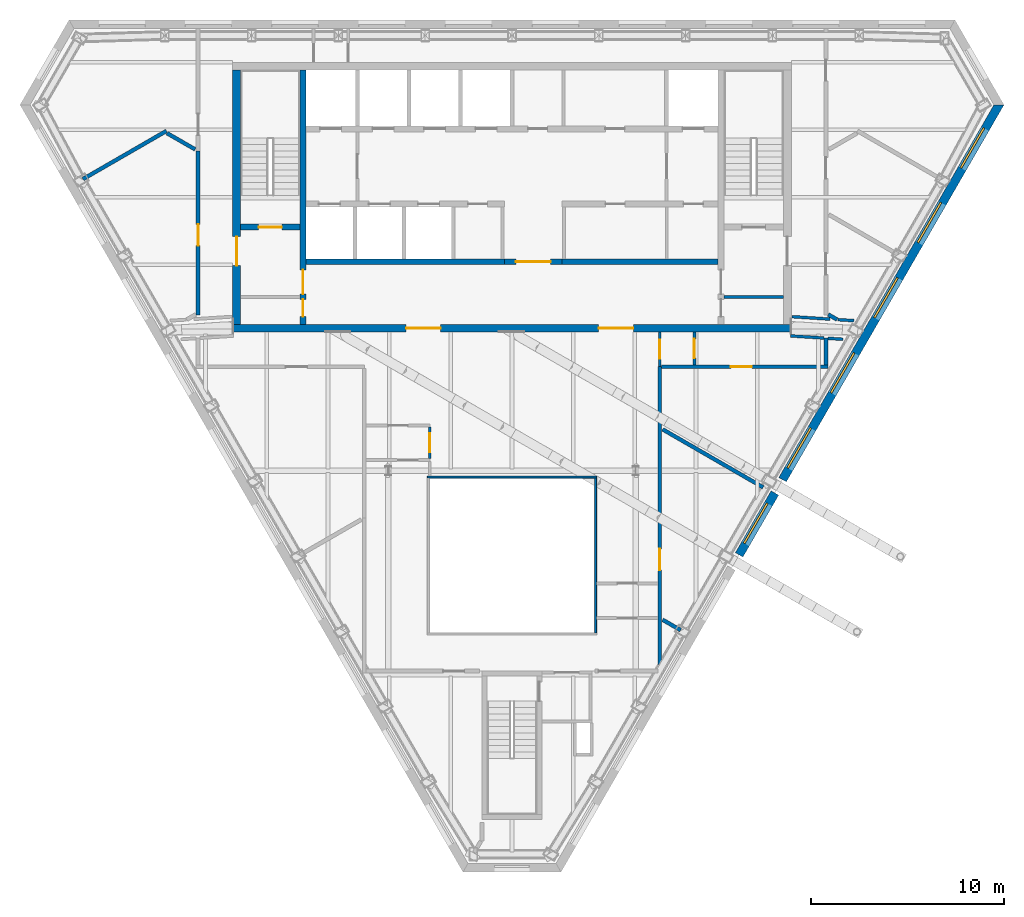
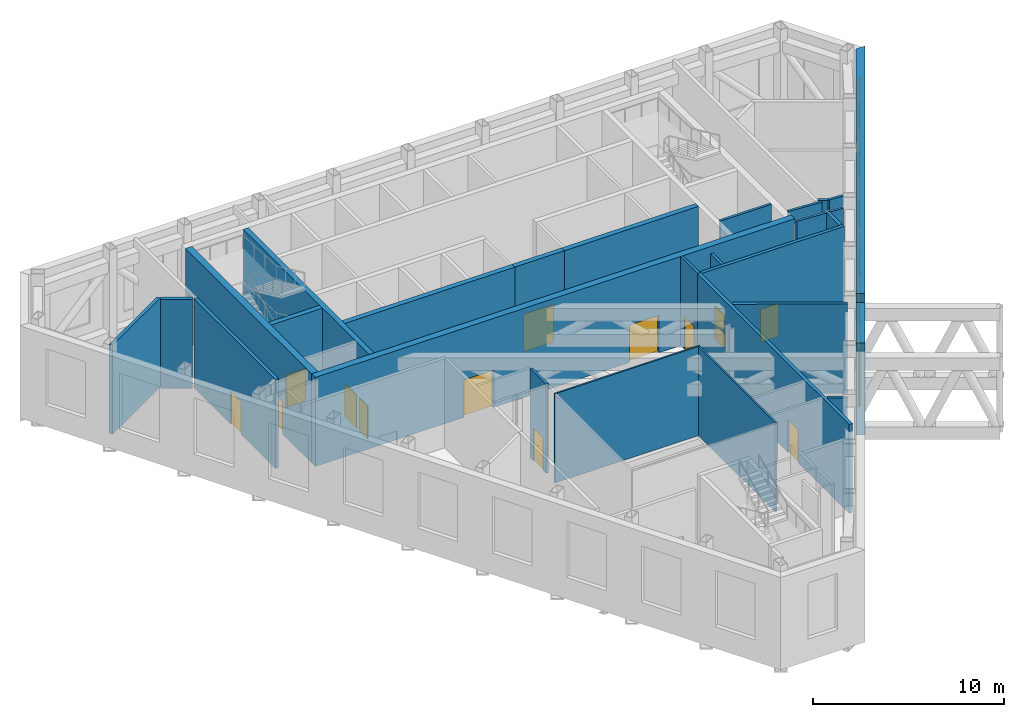
# One storey, part 8 of 14: 28 walls, 13 doors, 6 shading devices, 19 openings.
"""IFC4 building model written with IfcOpenShell, lengths in metres."""

from ifc_helpers import new_model, si_unit, direction, frame, frame_2d, origin, place, context, subcontext, project, spatial, polyline, rectangle, outline, extrude, material, layer, layer_set, type_object, element, fill, save


model = new_model("IFC4")

# Units and contexts
model_context = context("Model", 3, precision=1e-05, world=origin(), true_north=direction((0.0, 1.0)))
body_context = subcontext(model_context, "Body", "Model", "MODEL_VIEW")
ifc_project = project(units=[si_unit("LENGTHUNIT", "METRE"), si_unit("AREAUNIT", "SQUARE_METRE"), si_unit("VOLUMEUNIT", "CUBIC_METRE"), si_unit("PLANEANGLEUNIT", "RADIAN"), si_unit("MASSUNIT", "GRAM", prefix="KILO")], contexts=[model_context])

# Site, building, storey
site_placement = place(None, origin())
site = spatial("IfcSite", under=ifc_project, at=site_placement, CompositionType="ELEMENT")
building_placement = place(site_placement, origin())
building = spatial("IfcBuilding", under=site, at=building_placement, Name="Njiva Tower", CompositionType="ELEMENT")
storey_placement = place(building_placement, frame((0.0, 0.0, 292.2)))
storey = spatial("IfcBuildingStorey", under=building, at=storey_placement, Name="L67", CompositionType="ELEMENT", Elevation=292.2)

# Wall
ifc_material_1 = material(Name="Blockwork", Category="masonry")
ifc_layer_1 = layer(ifc_material_1, 0.15)
ifc_layer_set_1 = layer_set([ifc_layer_1], Name="Blockwork")
wall_type_1 = type_object("IfcWallType", Name="WT1 Compartment partition 150", PredefinedType="PARTITIONING", material=ifc_layer_set_1)
wall_1_placement = place(storey_placement, frame((11.0, 5.825, 0.0), z_axis=(0.0, 0.0, 1.0), x_axis=(1.0, 0.0, 0.0)))
element("IfcWall", 1, at=wall_1_placement, inside=storey, type_object=wall_type_1, Name="Room wall B", PredefinedType="PARTITIONING", context=body_context, shape_type="SweptSolid", body=[
    extrude(rectangle(XDim=3.1, YDim=0.15, at=frame_2d((1.55, 0.0))), origin(), (0.0, 0.0, 1.0), 5.7),
])

# Wall, openings, doors
ifc_material_2 = material(Name="Concrete C40/50", Category="concrete")
ifc_layer_2 = layer(ifc_material_2, 0.3)
ifc_layer_set_2 = layer_set([ifc_layer_2], Name="Concrete C40/50")
wall_type_2 = type_object("IfcWallType", Name="WT10 Stair enclosure wall 300", PredefinedType="SHEAR", material=ifc_layer_set_2)
wall_2_placement = place(storey_placement, frame((-10.85, 4.4, 0.0), z_axis=(0.0, 0.0, 1.0), x_axis=(0.0, 1.0, 0.0)))
wall_2 = element("IfcWall", 2, at=wall_2_placement, inside=storey, type_object=wall_type_2, Name="Stair wall west inner", PredefinedType="SHEAR", context=body_context, shape_type="SweptSolid", body=[
    extrude(rectangle(XDim=13.2, YDim=0.3, at=frame_2d((6.6, 0.0))), origin(), (0.0, 0.0, 1.0), 5.7),
])
opening_1_placement = place(wall_2_placement, frame((1.575, 0.0, 0.0)))
opening_1 = element("IfcOpeningElement", 3, at=opening_1_placement, cuts=wall_2, Name="Opening T5-D916", PredefinedType="OPENING", context=body_context, shape_type="SweptSolid", body=[
    extrude(rectangle(XDim=1.25, YDim=2.1, at=frame_2d((0.625, 1.05))), frame((0.0, 0.16, 0.0), z_axis=(0.0, -1.0, 0.0), x_axis=(1.0, 0.0, 0.0)), (0.0, 0.0, 1.0), 0.32),
])
opening_2_placement = place(wall_2_placement, frame((0.4, 0.0, 0.0)))
opening_2 = element("IfcOpeningElement", 4, at=opening_2_placement, cuts=wall_2, Name="Opening T5-D918", PredefinedType="OPENING", context=body_context, shape_type="SweptSolid", body=[
    extrude(rectangle(XDim=0.9, YDim=2.1, at=frame_2d((0.45, 1.05))), frame((0.0, 0.16, 0.0), z_axis=(0.0, -1.0, 0.0), x_axis=(1.0, 0.0, 0.0)), (0.0, 0.0, 1.0), 0.32),
])
ifc_material_3 = material(Name="Steel door, painted", Category="steel")
door_type_1 = type_object("IfcDoorType", Name="D13 Steel door 900x2100", OperationType="SINGLE_SWING_LEFT", PredefinedType="DOOR", material=ifc_material_3)
door_1_placement = place(opening_2_placement, origin())
door_1 = element("IfcDoor", 5, at=door_1_placement, inside=storey, type_object=door_type_1, Name="Telecoms plant room door", OperationType="SINGLE_SWING_RIGHT", OverallHeight=2.1, OverallWidth=0.9, PredefinedType="DOOR", context=body_context, shape_type="SweptSolid", body=[
    extrude(rectangle(XDim=0.9, YDim=2.1, at=frame_2d((0.45, 1.05))), frame((0.0, 0.025, 0.0), z_axis=(0.0, -1.0, 0.0), x_axis=(1.0, 0.0, 0.0)), (0.0, 0.0, 1.0), 0.05),
])
fill(opening_2, door_1)
ifc_material_4 = material(Name="Glazed steel fire door", Category="steel")
door_type_2 = type_object("IfcDoorType", Name="D8 Vestibule corridor door 1250x2100 glazed", OperationType="SINGLE_SWING_LEFT", PredefinedType="DOOR", material=ifc_material_4)
door_2_placement = place(opening_1_placement, origin())
door_2 = element("IfcDoor", 6, at=door_2_placement, inside=storey, type_object=door_type_2, Name="Stair vestibule corridor door", OperationType="SINGLE_SWING_LEFT", OverallHeight=2.1, OverallWidth=1.25, PredefinedType="DOOR", context=body_context, shape_type="SweptSolid", body=[
    extrude(rectangle(XDim=1.25, YDim=2.1, at=frame_2d((0.625, 1.05))), frame((0.0, 0.025, 0.0), z_axis=(0.0, -1.0, 0.0), x_axis=(1.0, 0.0, 0.0)), (0.0, 0.0, 1.0), 0.05),
])
fill(opening_1, door_2)

# Wall, opening, door
wall_3_placement = place(storey_placement, frame((-14.1, 9.45, 0.0), z_axis=(0.0, 0.0, 1.0), x_axis=(1.0, 0.0, 0.0)))
wall_3 = element("IfcWall", 7, at=wall_3_placement, inside=storey, type_object=wall_type_2, Name="Stair A south wall", PredefinedType="SHEAR", context=body_context, shape_type="SweptSolid", body=[
    extrude(rectangle(XDim=3.1, YDim=0.3, at=frame_2d((1.55, 0.0))), origin(), (0.0, 0.0, 1.0), 5.7),
])
opening_3_placement = place(wall_3_placement, frame((0.95, 0.0, 0.0)))
opening_3 = element("IfcOpeningElement", 8, at=opening_3_placement, cuts=wall_3, Name="Opening T5-D915", PredefinedType="OPENING", context=body_context, shape_type="SweptSolid", body=[
    extrude(rectangle(XDim=1.2, YDim=2.1, at=frame_2d((0.6, 1.05))), frame((0.0, 0.16, 0.0), z_axis=(0.0, -1.0, 0.0), x_axis=(1.0, 0.0, 0.0)), (0.0, 0.0, 1.0), 0.32),
])
door_type_3 = type_object("IfcDoorType", Name="D7 Stair vestibule door 1200x2100 glazed", OperationType="SINGLE_SWING_LEFT", PredefinedType="DOOR", material=ifc_material_4)
door_3_placement = place(opening_3_placement, origin())
door_3 = element("IfcDoor", 9, at=door_3_placement, inside=storey, type_object=door_type_3, Name="Stair A door", OperationType="SINGLE_SWING_LEFT", OverallHeight=2.1, OverallWidth=1.2, PredefinedType="DOOR", context=body_context, shape_type="SweptSolid", body=[
    extrude(rectangle(XDim=1.2, YDim=2.1, at=frame_2d((0.6, 1.05))), frame((0.0, 0.025, 0.0), z_axis=(0.0, -1.0, 0.0), x_axis=(1.0, 0.0, 0.0)), (0.0, 0.0, 1.0), 0.05),
])
fill(opening_3, door_3)

# Wall, openings, doors
ifc_material_5 = material(Name="Concrete C60/75", Category="concrete")
ifc_layer_3 = layer(ifc_material_5, 0.4)
ifc_layer_set_3 = layer_set([ifc_layer_3], Name="Concrete C60/75")
wall_type_3 = type_object("IfcWallType", Name="WT11 Core wall 400", PredefinedType="SHEAR", material=ifc_layer_set_3)
wall_4_placement = place(storey_placement, frame((-14.5, 4.2, 0.0), z_axis=(0.0, 0.0, 1.0), x_axis=(1.0, 0.0, 0.0)))
wall_4 = element("IfcWall", 10, at=wall_4_placement, inside=storey, type_object=wall_type_3, Name="Core wall south", PredefinedType="SHEAR", context=body_context, shape_type="SweptSolid", body=[
    extrude(rectangle(XDim=29.0, YDim=0.4, at=frame_2d((14.5, 0.0))), origin(), (0.0, 0.0, 1.0), 5.7),
])
opening_4_placement = place(wall_4_placement, frame((9.0, 0.0, 0.0)))
opening_4 = element("IfcOpeningElement", 11, at=opening_4_placement, cuts=wall_4, Name="Opening T5-D925", PredefinedType="OPENING", context=body_context, shape_type="SweptSolid", body=[
    extrude(rectangle(XDim=1.8, YDim=2.4, at=frame_2d((0.9, 1.2))), frame((0.0, 0.21, 0.0), z_axis=(0.0, -1.0, 0.0), x_axis=(1.0, 0.0, 0.0)), (0.0, 0.0, 1.0), 0.42),
])
opening_5_placement = place(wall_4_placement, frame((19.0, 0.0, 0.0)))
opening_5 = element("IfcOpeningElement", 12, at=opening_5_placement, cuts=wall_4, Name="Opening T5-D926", PredefinedType="OPENING", context=body_context, shape_type="SweptSolid", body=[
    extrude(rectangle(XDim=1.8, YDim=2.4, at=frame_2d((0.9, 1.2))), frame((0.0, 0.21, 0.0), z_axis=(0.0, -1.0, 0.0), x_axis=(1.0, 0.0, 0.0)), (0.0, 0.0, 1.0), 0.42),
])
ifc_material_6 = material(Name="Steel and glass door", Category="steel")
door_type_4 = type_object("IfcDoorType", Name="D3 Core entrance door 1800x2400", OperationType="DOUBLE_DOOR_SINGLE_SWING", PredefinedType="DOOR", material=ifc_material_6)
door_4_placement = place(opening_4_placement, origin())
door_4 = element("IfcDoor", 13, at=door_4_placement, inside=storey, type_object=door_type_4, Name="Core entrance door", OperationType="DOUBLE_DOOR_SINGLE_SWING", OverallHeight=2.4, OverallWidth=1.8, PredefinedType="DOOR", context=body_context, shape_type="SweptSolid", body=[
    extrude(rectangle(XDim=1.8, YDim=2.4, at=frame_2d((0.9, 1.2))), frame((0.0, 0.025, 0.0), z_axis=(0.0, -1.0, 0.0), x_axis=(1.0, 0.0, 0.0)), (0.0, 0.0, 1.0), 0.05),
])
fill(opening_4, door_4)
door_5_placement = place(opening_5_placement, origin())
door_5 = element("IfcDoor", 14, at=door_5_placement, inside=storey, type_object=door_type_4, Name="Core entrance door", OperationType="DOUBLE_DOOR_SINGLE_SWING", OverallHeight=2.4, OverallWidth=1.8, PredefinedType="DOOR", context=body_context, shape_type="SweptSolid", body=[
    extrude(rectangle(XDim=1.8, YDim=2.4, at=frame_2d((0.9, 1.2))), frame((0.0, 0.025, 0.0), z_axis=(0.0, -1.0, 0.0), x_axis=(1.0, 0.0, 0.0)), (0.0, 0.0, 1.0), 0.05),
])
fill(opening_5, door_5)

# Wall, opening, door
wall_5_placement = place(storey_placement, frame((-14.3, 4.4, 0.0), z_axis=(0.0, 0.0, 1.0), x_axis=(0.0, 1.0, 0.0)))
wall_5 = element("IfcWall", 15, at=wall_5_placement, inside=storey, type_object=wall_type_3, Name="Core wall west", PredefinedType="SHEAR", context=body_context, shape_type="SweptSolid", body=[
    extrude(rectangle(XDim=13.2, YDim=0.4, at=frame_2d((6.6, 0.0))), origin(), (0.0, 0.0, 1.0), 5.7),
])
opening_6_placement = place(wall_5_placement, frame((3.05, 0.0, 0.0)))
opening_6 = element("IfcOpeningElement", 16, at=opening_6_placement, cuts=wall_5, Name="Opening T5-D917", PredefinedType="OPENING", context=body_context, shape_type="SweptSolid", body=[
    extrude(rectangle(XDim=1.5, YDim=2.1, at=frame_2d((0.75, 1.05))), frame((0.0, 0.21, 0.0), z_axis=(0.0, -1.0, 0.0), x_axis=(1.0, 0.0, 0.0)), (0.0, 0.0, 1.0), 0.42),
])
door_type_5 = type_object("IfcDoorType", Name="D10 Exit door double 1500x2100 glazed", OperationType="DOUBLE_DOOR_SINGLE_SWING", PredefinedType="DOOR", material=ifc_material_4)
door_6_placement = place(opening_6_placement, origin())
door_6 = element("IfcDoor", 17, at=door_6_placement, inside=storey, type_object=door_type_5, Name="Stair A corridor door", OperationType="DOUBLE_DOOR_SINGLE_SWING", OverallHeight=2.1, OverallWidth=1.5, PredefinedType="DOOR", context=body_context, shape_type="SweptSolid", body=[
    extrude(rectangle(XDim=1.5, YDim=2.1, at=frame_2d((0.75, 1.05))), frame((0.0, 0.025, 0.0), z_axis=(0.0, -1.0, 0.0), x_axis=(1.0, 0.0, 0.0)), (0.0, 0.0, 1.0), 0.05),
])
fill(opening_6, door_6)

ifc_material_7 = material(Name="Gypsum board on steel studs", Category="gypsum")
ifc_layer_4 = layer(ifc_material_7, 0.15)
ifc_layer_set_4 = layer_set([ifc_layer_4], Name="Gypsum board on steel studs")
wall_type_4 = type_object("IfcWallType", Name="WT21 Compartment wall 150", PredefinedType="PARTITIONING", material=ifc_layer_set_4)
wall_6_placement = place(storey_placement, frame((-4.27, -2.575, 0.0), z_axis=(0.0, 0.0, 1.0), x_axis=(0.0, 1.0, 0.0)))
wall_6 = element("IfcWall", 18, at=wall_6_placement, inside=storey, type_object=wall_type_4, Name="Partition T5-P021", PredefinedType="PARTITIONING", context=body_context, shape_type="SweptSolid", body=[
    extrude(rectangle(XDim=1.65, YDim=0.15, at=frame_2d((0.825, 0.0))), origin(), (0.0, 0.0, 1.0), 5.7),
])
opening_7_placement = place(wall_6_placement, frame((0.325, 0.0, 0.0)))
opening_7 = element("IfcOpeningElement", 19, at=opening_7_placement, cuts=wall_6, Name="Opening T5-D009", PredefinedType="OPENING", context=body_context, shape_type="SweptSolid", body=[
    extrude(rectangle(XDim=1.0, YDim=2.1, at=frame_2d((0.5, 1.05))), frame((0.0, 0.085, 0.0), z_axis=(0.0, -1.0, 0.0), x_axis=(1.0, 0.0, 0.0)), (0.0, 0.0, 1.0), 0.17),
])
ifc_material_8 = material(Name="Steel fire door set", Category="steel")
door_type_6 = type_object("IfcDoorType", Name="D37 Fire door 1000x2100", OperationType="SINGLE_SWING_LEFT", PredefinedType="DOOR", material=ifc_material_8)
door_7_placement = place(opening_7_placement, origin())
door_7 = element("IfcDoor", 20, at=door_7_placement, inside=storey, type_object=door_type_6, Name="Door T5-D009", OperationType="SINGLE_SWING_LEFT", OverallHeight=2.1, OverallWidth=1.0, PredefinedType="DOOR", context=body_context, shape_type="SweptSolid", body=[
    extrude(rectangle(XDim=1.0, YDim=2.1, at=frame_2d((0.5, 1.05))), frame((0.0, 0.025, 0.0), z_axis=(0.0, -1.0, 0.0), x_axis=(1.0, 0.0, 0.0)), (0.0, 0.0, 1.0), 0.05),
])
fill(opening_7, door_7)

wall_7_placement = place(storey_placement, frame((7.67, 2.212, 0.0), z_axis=(0.0, 0.0, 1.0), x_axis=(0.0, 1.0, 0.0)))
wall_7 = element("IfcWall", 21, at=wall_7_placement, inside=storey, type_object=wall_type_4, Name="Partition T5-P028", PredefinedType="PARTITIONING", context=body_context, shape_type="SweptSolid", body=[
    extrude(rectangle(XDim=1.788, YDim=0.15, at=frame_2d((0.894, 0.0))), origin(), (0.0, 0.0, 1.0), 5.7),
])
opening_8_placement = place(wall_7_placement, frame((0.394, 0.0, 0.0)))
opening_8 = element("IfcOpeningElement", 22, at=opening_8_placement, cuts=wall_7, Name="Opening T5-D014", PredefinedType="OPENING", context=body_context, shape_type="SweptSolid", body=[
    extrude(rectangle(XDim=1.0, YDim=2.1, at=frame_2d((0.5, 1.05))), frame((0.0, 0.085, 0.0), z_axis=(0.0, -1.0, 0.0), x_axis=(1.0, 0.0, 0.0)), (0.0, 0.0, 1.0), 0.17),
])
door_8_placement = place(opening_8_placement, origin())
door_8 = element("IfcDoor", 23, at=door_8_placement, inside=storey, type_object=door_type_6, Name="Door T5-D014", OperationType="SINGLE_SWING_RIGHT", OverallHeight=2.1, OverallWidth=1.0, PredefinedType="DOOR", context=body_context, shape_type="SweptSolid", body=[
    extrude(rectangle(XDim=1.0, YDim=2.1, at=frame_2d((0.5, 1.05))), frame((0.0, 0.025, 0.0), z_axis=(0.0, -1.0, 0.0), x_axis=(1.0, 0.0, 0.0)), (0.0, 0.0, 1.0), 0.05),
])
fill(opening_8, door_8)

wall_8_placement = place(storey_placement, frame((9.47, 2.3, 0.0), z_axis=(0.0, 0.0, 1.0), x_axis=(0.0, 1.0, 0.0)))
wall_8 = element("IfcWall", 24, at=wall_8_placement, inside=storey, type_object=wall_type_4, Name="Partition T5-P032", PredefinedType="PARTITIONING", context=body_context, shape_type="SweptSolid", body=[
    extrude(rectangle(XDim=1.7, YDim=0.15, at=frame_2d((0.85, 0.0))), origin(), (0.0, 0.0, 1.0), 5.25),
])
opening_9_placement = place(wall_8_placement, frame((0.35, 0.0, 0.0)))
opening_9 = element("IfcOpeningElement", 25, at=opening_9_placement, cuts=wall_8, Name="Opening T5-D016", PredefinedType="OPENING", context=body_context, shape_type="SweptSolid", body=[
    extrude(rectangle(XDim=1.0, YDim=2.1, at=frame_2d((0.5, 1.05))), frame((0.0, 0.085, 0.0), z_axis=(0.0, -1.0, 0.0), x_axis=(1.0, 0.0, 0.0)), (0.0, 0.0, 1.0), 0.17),
])
door_9_placement = place(opening_9_placement, origin())
door_9 = element("IfcDoor", 26, at=door_9_placement, inside=storey, type_object=door_type_6, Name="Door T5-D016", OperationType="SINGLE_SWING_RIGHT", OverallHeight=2.1, OverallWidth=1.0, PredefinedType="DOOR", context=body_context, shape_type="SweptSolid", body=[
    extrude(rectangle(XDim=1.0, YDim=2.1, at=frame_2d((0.5, 1.05))), frame((0.0, 0.025, 0.0), z_axis=(0.0, -1.0, 0.0), x_axis=(1.0, 0.0, 0.0)), (0.0, 0.0, 1.0), 0.05),
])
fill(opening_9, door_9)

# Walls
wall_9_placement = place(storey_placement, frame((14.468, 3.801, 0.0), z_axis=(0.0, 0.0, 1.0), x_axis=(0.997915745008, -0.064530348407, 0.0)))
element("IfcWall", 27, at=wall_9_placement, inside=storey, type_object=wall_type_4, Name="Partition T5-P033", PredefinedType="PARTITIONING", context=body_context, shape_type="SweptSolid", body=[
    extrude(rectangle(XDim=1.7356, YDim=0.15, at=frame_2d((0.8678, 0.0))), origin(), (0.0, 0.0, 1.0), 5.7),
])
wall_10_placement = place(storey_placement, frame((14.532, 4.799, 0.0), z_axis=(0.0, 0.0, 1.0), x_axis=(0.997930552357, -0.064300953906, 0.0)))
element("IfcWall", 28, at=wall_10_placement, inside=storey, type_object=wall_type_4, Name="Partition T5-P034", PredefinedType="PARTITIONING", context=body_context, shape_type="SweptSolid", body=[
    extrude(rectangle(XDim=1.9751, YDim=0.15, at=frame_2d((0.9876, 0.0))), origin(), (0.0, 0.0, 1.0), 5.7),
])
wall_11_placement = place(storey_placement, frame((16.405, 3.676, 0.0), z_axis=(0.0, 0.0, 1.0), x_axis=(0.997885500156, -0.064996373573, 0.0)))
element("IfcWall", 29, at=wall_11_placement, inside=storey, type_object=wall_type_4, Name="Partition T5-P037", PredefinedType="PARTITIONING", context=body_context, shape_type="SweptSolid", body=[
    extrude(rectangle(XDim=0.7847, YDim=0.15, at=frame_2d((0.3923, 0.0))), origin(), (0.0, 0.0, 1.0), 5.7),
])
wall_12_placement = place(storey_placement, frame((16.915, 4.645, 0.0), z_axis=(0.0, 0.0, 1.0), x_axis=(0.997972330248, -0.063649258127, 0.0)))
element("IfcWall", 30, at=wall_12_placement, inside=storey, type_object=wall_type_4, Name="Partition T5-P041", PredefinedType="PARTITIONING", context=body_context, shape_type="SweptSolid", body=[
    extrude(rectangle(XDim=0.8327, YDim=0.15, at=frame_2d((0.4164, 0.0))), origin(), (0.0, 0.0, 1.0), 5.7),
])

# Wall, opening, door
ifc_layer_5 = layer(ifc_material_1, 0.2)
ifc_layer_set_5 = layer_set([ifc_layer_5], Name="Blockwork")
wall_type_5 = type_object("IfcWallType", Name="WT22 Plant room wall 200", PredefinedType="PARTITIONING", material=ifc_layer_set_5)
wall_13_placement = place(storey_placement, frame((7.67, -13.7, 0.0), z_axis=(0.0, 0.0, 1.0), x_axis=(0.0, 1.0, 0.0)))
wall_13 = element("IfcWall", 31, at=wall_13_placement, inside=storey, type_object=wall_type_5, Name="Partition T5-P027", PredefinedType="PARTITIONING", context=body_context, shape_type="SweptSolid", body=[
    extrude(rectangle(XDim=15.912, YDim=0.2, at=frame_2d((7.956, 0.0))), origin(), (0.0, 0.0, 1.0), 5.7),
])
opening_10_placement = place(wall_13_placement, frame((5.342, 0.0, 0.0)))
opening_10 = element("IfcOpeningElement", 32, at=opening_10_placement, cuts=wall_13, Name="Opening T5-D013", PredefinedType="OPENING", context=body_context, shape_type="SweptSolid", body=[
    extrude(rectangle(XDim=1.1, YDim=2.1, at=frame_2d((0.55, 1.05))), frame((0.0, 0.11, 0.0), z_axis=(0.0, -1.0, 0.0), x_axis=(1.0, 0.0, 0.0)), (0.0, 0.0, 1.0), 0.22),
])
ifc_material_9 = material(Name="Steel door set", Category="steel")
door_type_7 = type_object("IfcDoorType", Name="D34 Plant door 1100x2100", OperationType="SINGLE_SWING_LEFT", PredefinedType="DOOR", material=ifc_material_9)
door_10_placement = place(opening_10_placement, origin())
door_10 = element("IfcDoor", 33, at=door_10_placement, inside=storey, type_object=door_type_7, Name="Door T5-D013", OperationType="SINGLE_SWING_LEFT", OverallHeight=2.1, OverallWidth=1.1, PredefinedType="DOOR", context=body_context, shape_type="SweptSolid", body=[
    extrude(rectangle(XDim=1.1, YDim=2.1, at=frame_2d((0.55, 1.05))), frame((0.0, 0.025, 0.0), z_axis=(0.0, -1.0, 0.0), x_axis=(1.0, 0.0, 0.0)), (0.0, 0.0, 1.0), 0.05),
])
fill(opening_10, door_10)

wall_14_placement = place(storey_placement, frame((7.77, 2.2, 0.0), z_axis=(0.0, 0.0, 1.0), x_axis=(1.0, 0.0, 0.0)))
wall_14 = element("IfcWall", 34, at=wall_14_placement, inside=storey, type_object=wall_type_5, Name="Partition T5-P029", PredefinedType="PARTITIONING", context=body_context, shape_type="SweptSolid", body=[
    extrude(rectangle(XDim=8.63, YDim=0.2, at=frame_2d((4.315, 0.0))), origin(), (0.0, 0.0, 1.0), 5.7),
])
opening_11_placement = place(wall_14_placement, frame((3.59, 0.0, 0.0)))
opening_11 = element("IfcOpeningElement", 35, at=opening_11_placement, cuts=wall_14, Name="Opening T5-D015", PredefinedType="OPENING", context=body_context, shape_type="SweptSolid", body=[
    extrude(rectangle(XDim=1.1, YDim=2.1, at=frame_2d((0.55, 1.05))), frame((0.0, 0.11, 0.0), z_axis=(0.0, -1.0, 0.0), x_axis=(1.0, 0.0, 0.0)), (0.0, 0.0, 1.0), 0.22),
])
door_11_placement = place(opening_11_placement, origin())
door_11 = element("IfcDoor", 36, at=door_11_placement, inside=storey, type_object=door_type_7, Name="Door T5-D015", OperationType="SINGLE_SWING_LEFT", OverallHeight=2.1, OverallWidth=1.1, PredefinedType="DOOR", context=body_context, shape_type="SweptSolid", body=[
    extrude(rectangle(XDim=1.1, YDim=2.1, at=frame_2d((0.55, 1.05))), frame((0.0, 0.025, 0.0), z_axis=(0.0, -1.0, 0.0), x_axis=(1.0, 0.0, 0.0)), (0.0, 0.0, 1.0), 0.05),
])
fill(opening_11, door_11)

# Walls
wall_15_placement = place(storey_placement, frame((7.82, -10.937, 0.0), z_axis=(0.0, 0.0, 1.0), x_axis=(0.866416404672, -0.49932215424, 0.0)))
element("IfcWall", 37, at=wall_15_placement, inside=storey, type_object=wall_type_5, Name="Partition T5-P030", PredefinedType="PARTITIONING", context=body_context, shape_type="SweptSolid", body=[
    extrude(rectangle(XDim=1.0815, YDim=0.2, at=frame_2d((0.5407, 0.0))), origin(), (0.0, 0.0, 1.0), 5.7),
])
wall_16_placement = place(storey_placement, frame((7.82, -1.05, 0.0), z_axis=(0.0, 0.0, 1.0), x_axis=(0.866069507536, -0.49992360228, 0.0)))
element("IfcWall", 38, at=wall_16_placement, inside=storey, type_object=wall_type_5, Name="Partition T5-P031", PredefinedType="PARTITIONING", context=body_context, shape_type="SweptSolid", body=[
    extrude(rectangle(XDim=6.0249, YDim=0.2, at=frame_2d((3.0124, 0.0))), origin(), (0.0, 0.0, 1.0), 5.7),
])
wall_17_placement = place(storey_placement, frame((16.3, 2.3, 0.0), z_axis=(0.0, 0.0, 1.0), x_axis=(0.0, 1.0, 0.0)))
element("IfcWall", 39, at=wall_17_placement, inside=storey, type_object=wall_type_5, Name="Partition T5-P035", PredefinedType="PARTITIONING", context=body_context, shape_type="SweptSolid", body=[
    extrude(rectangle(XDim=1.383, YDim=0.2, at=frame_2d((0.6915, 0.0))), origin(), (0.0, 0.0, 1.0), 5.7),
])
wall_18_placement = place(storey_placement, frame((16.418, 4.914, 0.0), z_axis=(0.0, 0.0, 1.0), x_axis=(0.865683861507, -0.500591102524, 0.0)))
element("IfcWall", 40, at=wall_18_placement, inside=storey, type_object=wall_type_5, Name="Partition T5-P038", PredefinedType="PARTITIONING", context=body_context, shape_type="SweptSolid", body=[
    extrude(rectangle(XDim=0.5314, YDim=0.2, at=frame_2d((0.2657, 0.0))), origin(), (0.0, 0.0, 1.0), 5.7),
])
ifc_layer_6 = layer(ifc_material_1, 0.2)
ifc_layer_set_6 = layer_set([ifc_layer_6], Name="Blockwork")
wall_type_6 = type_object("IfcWallType", Name="WT23 Refuge wall 200", PredefinedType="PARTITIONING", material=ifc_layer_set_6)
wall_19_placement = place(storey_placement, frame((-22.277, 11.94, 0.0), z_axis=(0.0, 0.0, 1.0), x_axis=(0.866109108303, 0.499854991488, 0.0)))
element("IfcWall", 41, at=wall_19_placement, inside=storey, type_object=wall_type_6, Name="Partition T5-P001", PredefinedType="PARTITIONING", context=body_context, shape_type="SweptSolid", body=[
    extrude(rectangle(XDim=5.0075, YDim=0.2, at=frame_2d((2.5038, 0.0))), origin(), (0.0, 0.0, 1.0), 5.7),
])
wall_20_placement = place(storey_placement, frame((-17.909, 14.325, 0.0), z_axis=(0.0, 0.0, 1.0), x_axis=(0.866225147291, -0.499653874398, 0.0)))
element("IfcWall", 42, at=wall_20_placement, inside=storey, type_object=wall_type_6, Name="Partition T5-P002", PredefinedType="PARTITIONING", context=body_context, shape_type="SweptSolid", body=[
    extrude(rectangle(XDim=1.6832, YDim=0.2, at=frame_2d((0.8416, 0.0))), origin(), (0.0, 0.0, 1.0), 5.7),
])

# Wall, opening, door
wall_21_placement = place(storey_placement, frame((-16.3, 4.883, 0.0), z_axis=(0.0, 0.0, 1.0), x_axis=(0.0, 1.0, 0.0)))
wall_21 = element("IfcWall", 43, at=wall_21_placement, inside=storey, type_object=wall_type_6, Name="Partition T5-P010", PredefinedType="PARTITIONING", context=body_context, shape_type="SweptSolid", body=[
    extrude(rectangle(XDim=8.512, YDim=0.2, at=frame_2d((4.256, 0.0))), origin(), (0.0, 0.0, 1.0), 5.7),
])
opening_12_placement = place(wall_21_placement, frame((3.606, 0.0, 0.0)))
opening_12 = element("IfcOpeningElement", 44, at=opening_12_placement, cuts=wall_21, Name="Opening T5-D003", PredefinedType="OPENING", context=body_context, shape_type="SweptSolid", body=[
    extrude(rectangle(XDim=1.1, YDim=2.1, at=frame_2d((0.55, 1.05))), frame((0.0, 0.11, 0.0), z_axis=(0.0, -1.0, 0.0), x_axis=(1.0, 0.0, 0.0)), (0.0, 0.0, 1.0), 0.22),
])
door_type_8 = type_object("IfcDoorType", Name="D35 Refuge door 1100x2100", OperationType="SINGLE_SWING_LEFT", PredefinedType="DOOR", material=ifc_material_9)
door_12_placement = place(opening_12_placement, origin())
door_12 = element("IfcDoor", 45, at=door_12_placement, inside=storey, type_object=door_type_8, Name="Door T5-D003", OperationType="SINGLE_SWING_RIGHT", OverallHeight=2.1, OverallWidth=1.1, PredefinedType="DOOR", context=body_context, shape_type="SweptSolid", body=[
    extrude(rectangle(XDim=1.1, YDim=2.1, at=frame_2d((0.55, 1.05))), frame((0.0, 0.025, 0.0), z_axis=(0.0, -1.0, 0.0), x_axis=(1.0, 0.0, 0.0)), (0.0, 0.0, 1.0), 0.05),
])
fill(opening_12, door_12)

ifc_layer_7 = layer(ifc_material_1, 0.3)
ifc_layer_set_7 = layer_set([ifc_layer_7], Name="Blockwork")
wall_type_7 = type_object("IfcWallType", Name="WT5 Lobby partition 300", PredefinedType="PARTITIONING", material=ifc_layer_set_7)
wall_22_placement = place(storey_placement, frame((-0.4, 7.65, 0.0), z_axis=(0.0, 0.0, 1.0), x_axis=(1.0, 0.0, 0.0)))
wall_22 = element("IfcWall", 46, at=wall_22_placement, inside=storey, type_object=wall_type_7, Name="Lift lobby screen wall", PredefinedType="PARTITIONING", context=body_context, shape_type="SweptSolid", body=[
    extrude(rectangle(XDim=3.0, YDim=0.3, at=frame_2d((1.5, 0.0))), origin(), (0.0, 0.0, 1.0), 5.7),
])
opening_13_placement = place(wall_22_placement, frame((0.6, 0.0, 0.0)))
opening_13 = element("IfcOpeningElement", 47, at=opening_13_placement, cuts=wall_22, Name="Opening T5-D924", PredefinedType="OPENING", context=body_context, shape_type="SweptSolid", body=[
    extrude(rectangle(XDim=1.8, YDim=2.4, at=frame_2d((0.9, 1.2))), frame((0.0, 0.16, 0.0), z_axis=(0.0, -1.0, 0.0), x_axis=(1.0, 0.0, 0.0)), (0.0, 0.0, 1.0), 0.32),
])
door_13_placement = place(opening_13_placement, origin())
door_13 = element("IfcDoor", 48, at=door_13_placement, inside=storey, type_object=door_type_4, Name="Core entrance door", OperationType="DOUBLE_DOOR_SINGLE_SWING", OverallHeight=2.4, OverallWidth=1.8, PredefinedType="DOOR", context=body_context, shape_type="SweptSolid", body=[
    extrude(rectangle(XDim=1.8, YDim=2.4, at=frame_2d((0.9, 1.2))), frame((0.0, 0.025, 0.0), z_axis=(0.0, -1.0, 0.0), x_axis=(1.0, 0.0, 0.0)), (0.0, 0.0, 1.0), 0.05),
])
fill(opening_13, door_13)

# Walls
ifc_layer_8 = layer(ifc_material_2, 0.3)
ifc_layer_set_8 = layer_set([ifc_layer_8], Name="Concrete C40/50")
wall_type_8 = type_object("IfcWallType", Name="WT7 Lift shaft wall 300", PredefinedType="SHEAR", material=ifc_layer_set_8)
wall_23_placement = place(storey_placement, frame((-10.7, 7.65, 0.0), z_axis=(0.0, 0.0, 1.0), x_axis=(1.0, 0.0, 0.0)))
element("IfcWall", 49, at=wall_23_placement, inside=storey, type_object=wall_type_8, Name="Shaft wall south row back W", PredefinedType="SHEAR", context=body_context, shape_type="SweptSolid", body=[
    extrude(rectangle(XDim=10.3, YDim=0.3, at=frame_2d((5.15, 0.0))), origin(), (0.0, 0.0, 1.0), 5.7),
])
wall_24_placement = place(storey_placement, frame((2.6, 7.65, 0.0), z_axis=(0.0, 0.0, 1.0), x_axis=(1.0, 0.0, 0.0)))
element("IfcWall", 50, at=wall_24_placement, inside=storey, type_object=wall_type_8, Name="Shaft wall south row back E", PredefinedType="SHEAR", context=body_context, shape_type="SweptSolid", body=[
    extrude(rectangle(XDim=8.1, YDim=0.3, at=frame_2d((4.05, 0.0))), origin(), (0.0, 0.0, 1.0), 5.7),
])

# Wall, opening, shading device
ifc_material_10 = material(Name="Brick masonry, buff", Category="masonry")
ifc_layer_9 = layer(ifc_material_10, 0.45)
ifc_layer_set_9 = layer_set([ifc_layer_9], Name="Brick masonry, buff")
wall_type_9 = type_object("IfcWallType", Name="WT94 Brick pier and spandrel wall 450, buff", PredefinedType="SOLIDWALL", material=ifc_layer_set_9)
wall_25_placement = place(storey_placement, frame((11.7943, -7.5662, -0.18), z_axis=(0.0, 0.0, 1.0), x_axis=(0.50000114038, 0.866024745385, 0.0)))
wall_25 = element("IfcWall", 51, at=wall_25_placement, inside=storey, type_object=wall_type_9, Name="Facade wall SE", PredefinedType="SOLIDWALL", context=body_context, shape_type="SweptSolid", body=[
    extrude(outline(polyline([(0.0, -0.225), (3.7066, -0.225), (3.7066, 0.225), (0.0, 0.225), (0.0, -0.225)])), origin(), (0.0, 0.0, 1.0), 5.9),
])
opening_14_placement = place(wall_25_placement, frame((0.6533, 0.0, 1.38)))
opening_14 = element("IfcOpeningElement", 52, at=opening_14_placement, cuts=wall_25, Name="Opening T5-LV27", PredefinedType="OPENING", context=body_context, shape_type="SweptSolid", body=[
    extrude(rectangle(XDim=2.4, YDim=3.6, at=frame_2d((1.2, 1.8))), frame((0.0, 0.235, 0.0), z_axis=(0.0, -1.0, 0.0), x_axis=(1.0, 0.0, 0.0)), (0.0, 0.0, 1.0), 0.47),
])
ifc_material_11 = material(Name="Aluminium louvre blades", Category="aluminium")
shading_device_type = type_object("IfcShadingDeviceType", Name="LV1 Plant louvre 2400x3600", PredefinedType="JALOUSIE", material=ifc_material_11)
shading_device_1_placement = place(opening_14_placement, origin())
shading_device_1 = element("IfcShadingDevice", 53, at=shading_device_1_placement, inside=storey, type_object=shading_device_type, Name="Plant louvre", PredefinedType="JALOUSIE", context=body_context, shape_type="SweptSolid", body=[
    extrude(rectangle(XDim=2.4, YDim=3.6, at=frame_2d((1.2, 1.8))), frame((0.0, 0.125, 0.0), z_axis=(0.0, -1.0, 0.0), x_axis=(1.0, 0.0, 0.0)), (0.0, 0.0, 1.0), 0.1),
])
fill(opening_14, shading_device_1)

# Wall, openings, shading devices
wall_26_placement = place(storey_placement, frame((14.0476, -3.6634, -0.18), z_axis=(0.0, 0.0, 1.0), x_axis=(0.500002580931, 0.866023913678, 0.0)))
wall_26 = element("IfcWall", 54, at=wall_26_placement, inside=storey, type_object=wall_type_9, Name="Facade wall SE", PredefinedType="SOLIDWALL", context=body_context, shape_type="SweptSolid", body=[
    extrude(outline(polyline([(0.0, -0.225), (22.595, -0.225), (22.3352, 0.225), (0.0, 0.225), (0.0, -0.225)])), origin(), (0.0, 0.0, 1.0), 5.9),
])
opening_15_placement = place(wall_26_placement, frame((0.6533, 0.0, 1.38)))
opening_15 = element("IfcOpeningElement", 55, at=opening_15_placement, cuts=wall_26, Name="Opening T5-LV28", PredefinedType="OPENING", context=body_context, shape_type="SweptSolid", body=[
    extrude(rectangle(XDim=2.4, YDim=3.6, at=frame_2d((1.2, 1.8))), frame((0.0, 0.235, 0.0), z_axis=(0.0, -1.0, 0.0), x_axis=(1.0, 0.0, 0.0)), (0.0, 0.0, 1.0), 0.47),
])
opening_16_placement = place(wall_26_placement, frame((5.1599, 0.0, 1.38)))
opening_16 = element("IfcOpeningElement", 56, at=opening_16_placement, cuts=wall_26, Name="Opening T5-LV29", PredefinedType="OPENING", context=body_context, shape_type="SweptSolid", body=[
    extrude(rectangle(XDim=2.4, YDim=3.6, at=frame_2d((1.2, 1.8))), frame((0.0, 0.235, 0.0), z_axis=(0.0, -1.0, 0.0), x_axis=(1.0, 0.0, 0.0)), (0.0, 0.0, 1.0), 0.47),
])
opening_17_placement = place(wall_26_placement, frame((9.6666, 0.0, 1.38)))
opening_17 = element("IfcOpeningElement", 57, at=opening_17_placement, cuts=wall_26, Name="Opening T5-LV30", PredefinedType="OPENING", context=body_context, shape_type="SweptSolid", body=[
    extrude(rectangle(XDim=2.4, YDim=3.6, at=frame_2d((1.2, 1.8))), frame((0.0, 0.235, 0.0), z_axis=(0.0, -1.0, 0.0), x_axis=(1.0, 0.0, 0.0)), (0.0, 0.0, 1.0), 0.47),
])
opening_18_placement = place(wall_26_placement, frame((14.1732, 0.0, 1.38)))
opening_18 = element("IfcOpeningElement", 58, at=opening_18_placement, cuts=wall_26, Name="Opening T5-LV31", PredefinedType="OPENING", context=body_context, shape_type="SweptSolid", body=[
    extrude(rectangle(XDim=2.4, YDim=3.6, at=frame_2d((1.2, 1.8))), frame((0.0, 0.235, 0.0), z_axis=(0.0, -1.0, 0.0), x_axis=(1.0, 0.0, 0.0)), (0.0, 0.0, 1.0), 0.47),
])
opening_19_placement = place(wall_26_placement, frame((18.6414, 0.0, 1.38)))
opening_19 = element("IfcOpeningElement", 59, at=opening_19_placement, cuts=wall_26, Name="Opening T5-LV32", PredefinedType="OPENING", context=body_context, shape_type="SweptSolid", body=[
    extrude(rectangle(XDim=2.4, YDim=3.6, at=frame_2d((1.2, 1.8))), frame((0.0, 0.235, 0.0), z_axis=(0.0, -1.0, 0.0), x_axis=(1.0, 0.0, 0.0)), (0.0, 0.0, 1.0), 0.47),
])
shading_device_2_placement = place(opening_15_placement, origin())
shading_device_2 = element("IfcShadingDevice", 60, at=shading_device_2_placement, inside=storey, type_object=shading_device_type, Name="Plant louvre", PredefinedType="JALOUSIE", context=body_context, shape_type="SweptSolid", body=[
    extrude(rectangle(XDim=2.4, YDim=3.6, at=frame_2d((1.2, 1.8))), frame((0.0, 0.125, 0.0), z_axis=(0.0, -1.0, 0.0), x_axis=(1.0, 0.0, 0.0)), (0.0, 0.0, 1.0), 0.1),
])
fill(opening_15, shading_device_2)
shading_device_3_placement = place(opening_16_placement, origin())
shading_device_3 = element("IfcShadingDevice", 61, at=shading_device_3_placement, inside=storey, type_object=shading_device_type, Name="Plant louvre", PredefinedType="JALOUSIE", context=body_context, shape_type="SweptSolid", body=[
    extrude(rectangle(XDim=2.4, YDim=3.6, at=frame_2d((1.2, 1.8))), frame((0.0, 0.125, 0.0), z_axis=(0.0, -1.0, 0.0), x_axis=(1.0, 0.0, 0.0)), (0.0, 0.0, 1.0), 0.1),
])
fill(opening_16, shading_device_3)
shading_device_4_placement = place(opening_17_placement, origin())
shading_device_4 = element("IfcShadingDevice", 62, at=shading_device_4_placement, inside=storey, type_object=shading_device_type, Name="Plant louvre", PredefinedType="JALOUSIE", context=body_context, shape_type="SweptSolid", body=[
    extrude(rectangle(XDim=2.4, YDim=3.6, at=frame_2d((1.2, 1.8))), frame((0.0, 0.125, 0.0), z_axis=(0.0, -1.0, 0.0), x_axis=(1.0, 0.0, 0.0)), (0.0, 0.0, 1.0), 0.1),
])
fill(opening_17, shading_device_4)
shading_device_5_placement = place(opening_18_placement, origin())
shading_device_5 = element("IfcShadingDevice", 63, at=shading_device_5_placement, inside=storey, type_object=shading_device_type, Name="Plant louvre", PredefinedType="JALOUSIE", context=body_context, shape_type="SweptSolid", body=[
    extrude(rectangle(XDim=2.4, YDim=3.6, at=frame_2d((1.2, 1.8))), frame((0.0, 0.125, 0.0), z_axis=(0.0, -1.0, 0.0), x_axis=(1.0, 0.0, 0.0)), (0.0, 0.0, 1.0), 0.1),
])
fill(opening_18, shading_device_5)
shading_device_6_placement = place(opening_19_placement, origin())
shading_device_6 = element("IfcShadingDevice", 64, at=shading_device_6_placement, inside=storey, type_object=shading_device_type, Name="Plant louvre", PredefinedType="JALOUSIE", context=body_context, shape_type="SweptSolid", body=[
    extrude(rectangle(XDim=2.4, YDim=3.6, at=frame_2d((1.2, 1.8))), frame((0.0, 0.125, 0.0), z_axis=(0.0, -1.0, 0.0), x_axis=(1.0, 0.0, 0.0)), (0.0, 0.0, 1.0), 0.1),
])
fill(opening_19, shading_device_6)

# Walls
ifc_material_12 = material(Name="Fire-resisting glazing EI 90", Category="glass")
ifc_layer_10 = layer(ifc_material_12, 0.1)
ifc_layer_set_10 = layer_set([ifc_layer_10], Name="Fire-resisting glazing EI 90")
wall_type_10 = type_object("IfcWallType", Name="WT95 Fire-resisting glazed screen EI 90", PredefinedType="PARTITIONING", material=ifc_layer_set_10)
wall_27_placement = place(storey_placement, frame((4.34, -11.62, 0.0), z_axis=(0.0, 0.0, 1.0), x_axis=(0.0, 1.0, 0.0)))
element("IfcWall", 65, at=wall_27_placement, inside=storey, type_object=wall_type_10, Name="Atrium fire screen east", PredefinedType="PARTITIONING", context=body_context, shape_type="SweptSolid", body=[
    extrude(rectangle(XDim=8.04, YDim=0.1, at=frame_2d((4.02, 0.0))), origin(), (0.0, 0.0, 1.0), 5.7),
])
wall_28_placement = place(storey_placement, frame((4.39, -3.53, 0.0), z_axis=(0.0, 0.0, 1.0), x_axis=(-1.0, 0.0, 0.0)))
element("IfcWall", 66, at=wall_28_placement, inside=storey, type_object=wall_type_10, Name="Atrium fire screen north", PredefinedType="PARTITIONING", context=body_context, shape_type="SweptSolid", body=[
    extrude(rectangle(XDim=8.78, YDim=0.1, at=frame_2d((4.39, 0.0))), origin(), (0.0, 0.0, 1.0), 5.7),
])

save(model, "model.ifc")
